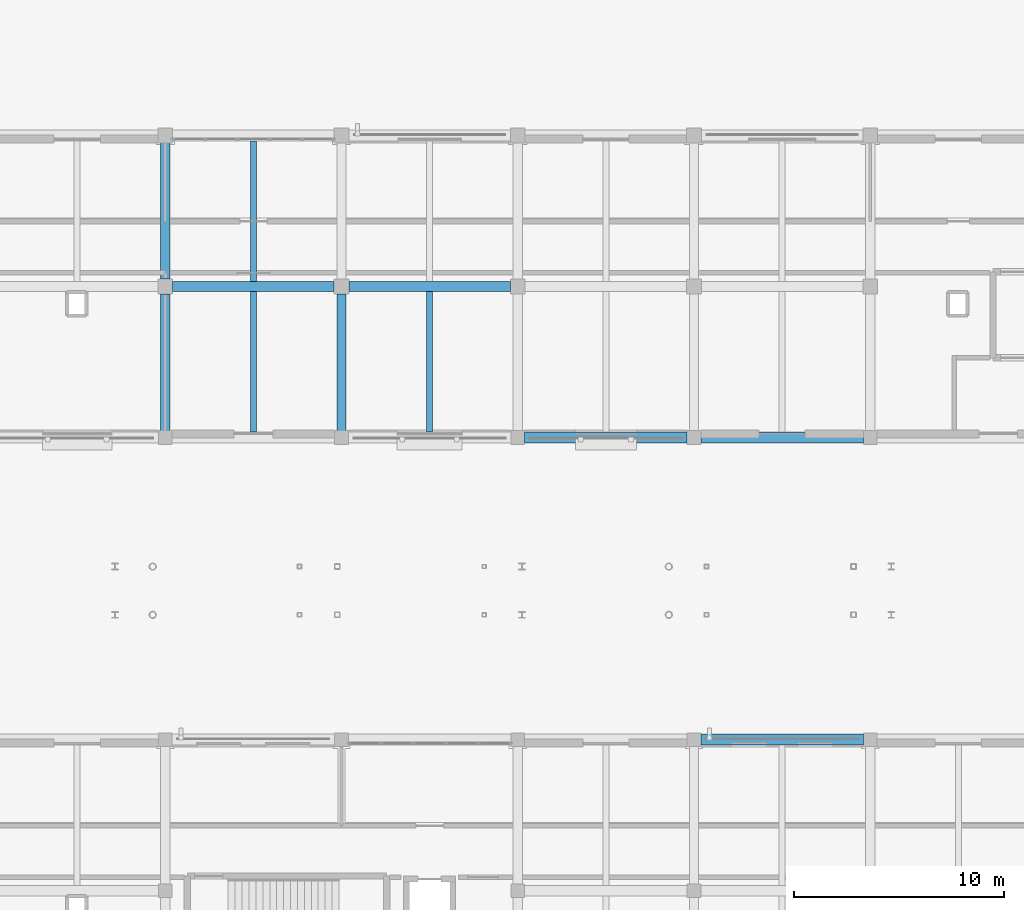
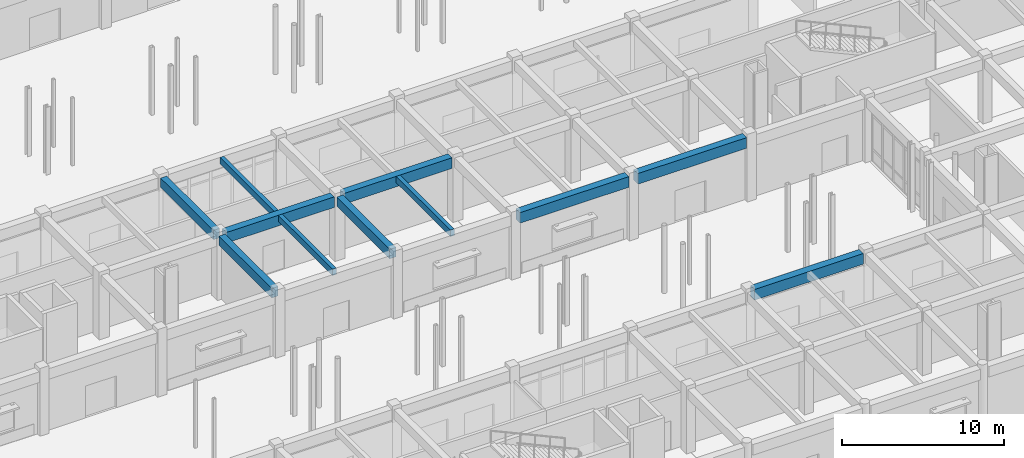
# One storey, part 46 of 121: 11 beams.
"""IFC4 building model written with IfcOpenShell, lengths in metres."""

from ifc_helpers import new_model, si_unit, direction, frame, origin, origin_2d, place, context, subcontext, project, spatial, rectangle, extrude, material, material_profile, profile_set, type_object, element, save


model = new_model("IFC4")

# Units and contexts
model_context = context("Model", 3, precision=1e-05, world=origin(), true_north=direction((0.0, 1.0)))
body_context = subcontext(model_context, "Body", "Model", "MODEL_VIEW")
ifc_project = project(units=[si_unit("LENGTHUNIT", "METRE"), si_unit("AREAUNIT", "SQUARE_METRE"), si_unit("VOLUMEUNIT", "CUBIC_METRE"), si_unit("PLANEANGLEUNIT", "RADIAN"), si_unit("MASSUNIT", "GRAM", prefix="KILO")], contexts=[model_context])

# Site, building, storey
site_placement = place(None, origin())
site = spatial("IfcSite", under=ifc_project, at=site_placement, CompositionType="ELEMENT")
building_placement = place(site_placement, origin())
building = spatial("IfcBuilding", under=site, at=building_placement, Name="Malvenik Polytechnic", CompositionType="ELEMENT")
storey_placement = place(building_placement, origin())
storey = spatial("IfcBuildingStorey", under=building, at=storey_placement, Name="L00", CompositionType="ELEMENT", Elevation=0.0)

# Beams
ifc_material_1 = material(Name="Concrete C35/45", Category="concrete")
ifc_material_profile_1 = material_profile(ifc_material_1, rectangle(XDim=0.5, YDim=0.800048828125, at=origin_2d()), Name="RC BM 500x800")
ifc_profile_set_1 = profile_set([ifc_material_profile_1], Name="Concrete C35/45")
beam_type_1 = type_object("IfcBeamType", Name="STR-BM-B-02", PredefinedType="BEAM", material=ifc_profile_set_1)
for number, where, z_axis, x_axis, name in (
    (1, (33.947998046875, 86.39990234375, 4.419921875), (1.0, 0.0, 0.0), (0.0, 1.0, 0.0), "Primary Beam B-02 L00 #630"),
    (2, (42.347900390625, 86.39990234375, 4.419921875), (1.0, 0.0, 0.0), (0.0, 1.0, 0.0), "Primary Beam B-02 L00 #631"),
):
    element("IfcBeam", number, at=place(storey_placement, frame(where, z_axis=z_axis, x_axis=x_axis)), inside=storey, type_object=beam_type_1, Name=name, PredefinedType="BEAM", context=body_context, shape_type="SweptSolid", body=[
        extrude(rectangle(XDim=0.5, YDim=0.800048828125, at=origin_2d()), origin(), (0.0, 0.0, 1.0), 7.7041015625),
    ])
ifc_material_profile_2 = material_profile(ifc_material_1, rectangle(XDim=0.449951171875, YDim=0.699951171875, at=origin_2d()), Name="RC BM 450x700")
ifc_profile_set_2 = profile_set([ifc_material_profile_2], Name="Concrete C35/45")
beam_type_2 = type_object("IfcBeamType", Name="STR-BM-B-04", PredefinedType="BEAM", material=ifc_profile_set_2)
beam_1_placement = place(storey_placement, frame((33.60009765625, 79.52294921875, 4.469970703125), z_axis=(0.0, 1.0, 0.0), x_axis=(-1.0, 0.0, 0.0)))
element("IfcBeam", 3, at=beam_1_placement, inside=storey, type_object=beam_type_2, Name="Transverse Beam B-04 L00 #736", PredefinedType="BEAM", context=body_context, shape_type="SweptSolid", body=[
    extrude(rectangle(XDim=0.449951171875, YDim=0.699951171875, at=origin_2d()), origin(), (0.0, 0.0, 1.0), 6.529052734375),
])
beam_2_placement = place(storey_placement, frame((33.60009765625, 86.748046875, 4.469970703125), z_axis=(0.0, 1.0, 0.0), x_axis=(-1.0, 0.0, 0.0)))
element("IfcBeam", 4, at=beam_2_placement, inside=storey, type_object=beam_type_2, Name="Transverse Beam B-04 L00 #737", PredefinedType="BEAM", context=body_context, shape_type="SweptSolid", body=[
    extrude(rectangle(XDim=0.449951171875, YDim=0.699951171875, at=origin_2d()), origin(), (0.0, 0.0, 1.0), 6.50390625),
])
beam_3_placement = place(storey_placement, frame((42.0, 79.52294921875, 4.469970703125), z_axis=(0.0, 1.0, 0.0), x_axis=(-1.0, 0.0, 0.0)))
element("IfcBeam", 5, at=beam_3_placement, inside=storey, type_object=beam_type_2, Name="Transverse Beam B-04 L00 #742", PredefinedType="BEAM", context=body_context, shape_type="SweptSolid", body=[
    extrude(rectangle(XDim=0.449951171875, YDim=0.699951171875, at=origin_2d()), origin(), (0.0, 0.0, 1.0), 6.529052734375),
])
ifc_material_2 = material(Name="Concrete C30/37", Category="concrete")
ifc_material_profile_3 = material_profile(ifc_material_2, rectangle(XDim=0.280029296875, YDim=0.47998046875, at=origin_2d()), Name="RC JST 280x480")
ifc_profile_set_3 = profile_set([ifc_material_profile_3], Name="Concrete C30/37")
beam_type_3 = type_object("IfcBeamType", Name="STR-BM-J-01", PredefinedType="JOIST", material=ifc_profile_set_3)
for number, where, z_axis, x_axis, name in (
    (6, (37.800048828125, 79.4580078125, 4.580078125), (0.0, 1.0, 0.0), (-1.0, 0.0, 0.0), "Secondary Rib Joist J-01 L00 #878"),
    (7, (37.800048828125, 86.64794921875, 4.580078125), (0.0, 1.0, 0.0), (-1.0, 0.0, 0.0), "Secondary Rib Joist J-01 L00 #879"),
    (8, (46.199951171875, 79.4580078125, 4.580078125), (0.0, 1.0, 0.0), (-1.0, 0.0, 0.0), "Secondary Rib Joist J-01 L00 #883"),
):
    element("IfcBeam", number, at=place(storey_placement, frame(where, z_axis=z_axis, x_axis=x_axis)), inside=storey, type_object=beam_type_3, Name=name, PredefinedType="JOIST", context=body_context, shape_type="SweptSolid", body=[
        extrude(rectangle(XDim=0.280029296875, YDim=0.47998046875, at=origin_2d()), origin(), (0.0, 0.0, 1.0), 6.694091796875),
    ])
ifc_material_3 = material(Name="Precast concrete C40/50", Category="concrete")
ifc_material_profile_4 = material_profile(ifc_material_3, rectangle(XDim=0.52001953125, YDim=0.800048828125, at=origin_2d()), Name="PC SPN 520x800")
ifc_profile_set_4 = profile_set([ifc_material_profile_4], Name="Precast concrete C40/50")
beam_type_4 = type_object("IfcBeamType", Name="STR-BM-SP-01", PredefinedType="SPANDREL", material=ifc_profile_set_4)
beam_4_placement = place(storey_placement, frame((59.123046875, 64.800048828125, 4.419921875), z_axis=(1.0, 0.0, 0.0), x_axis=(0.0, 1.0, 0.0)))
element("IfcBeam", 9, at=beam_4_placement, inside=storey, type_object=beam_type_4, Name="Primary Beam SP-01 L00 #602", PredefinedType="SPANDREL", context=body_context, shape_type="SweptSolid", body=[
    extrude(rectangle(XDim=0.52001953125, YDim=0.800048828125, at=origin_2d()), origin(), (0.0, 0.0, 1.0), 7.75390625),
])
beam_5_placement = place(storey_placement, frame((50.722900390625, 79.199951171875, 4.419921875), z_axis=(1.0, 0.0, 0.0), x_axis=(0.0, 1.0, 0.0)))
element("IfcBeam", 10, at=beam_5_placement, inside=storey, type_object=beam_type_4, Name="Primary Beam SP-01 L00 #618", PredefinedType="SPANDREL", context=body_context, shape_type="SweptSolid", body=[
    extrude(rectangle(XDim=0.52001953125, YDim=0.800048828125, at=origin_2d()), origin(), (0.0, 0.0, 1.0), 7.754150390625),
])
beam_6_placement = place(storey_placement, frame((59.123046875, 79.199951171875, 4.419921875), z_axis=(1.0, 0.0, 0.0), x_axis=(0.0, 1.0, 0.0)))
element("IfcBeam", 11, at=beam_6_placement, inside=storey, type_object=beam_type_4, Name="Primary Beam SP-01 L00 #619", PredefinedType="SPANDREL", context=body_context, shape_type="SweptSolid", body=[
    extrude(rectangle(XDim=0.52001953125, YDim=0.800048828125, at=origin_2d()), origin(), (0.0, 0.0, 1.0), 7.75390625),
])

save(model, "model.ifc")
